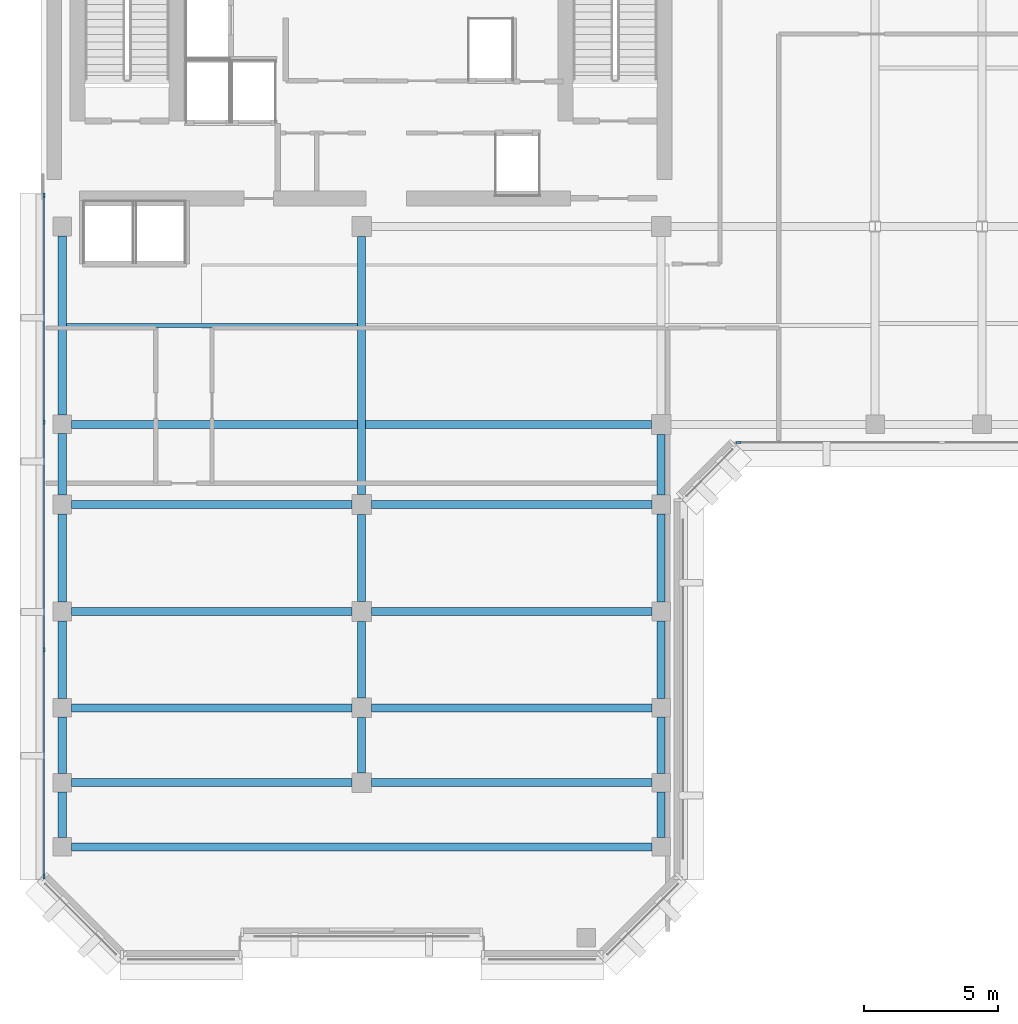
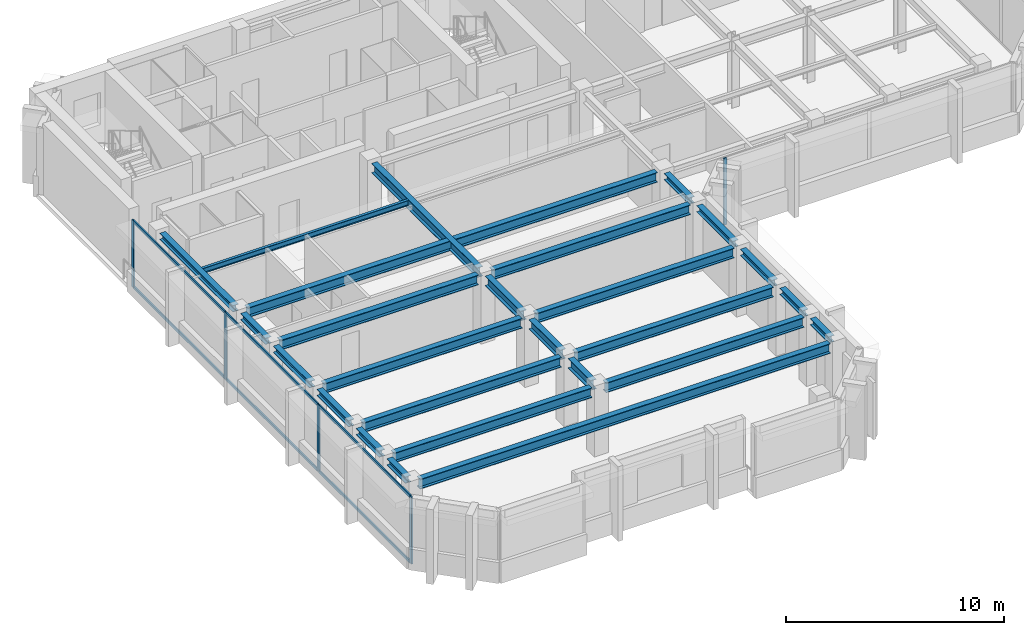
# One storey, part 2 of 12: 26 beams, 11 members, 2 elements without a shape of their own.
"""IFC4 building model written with IfcOpenShell, lengths in metres."""

from ifc_helpers import new_model, si_unit, direction, frame, origin, origin_2d, place, context, subcontext, project, spatial, rectangle, i_section, extrude, material, layer, layer_set, material_profile, profile_set, type_object, element, aggregate, save


model = new_model("IFC4")

# Units and contexts
model_context = context("Model", 3, precision=1e-05, world=origin(), true_north=direction((0.0, 1.0)))
body_context = subcontext(model_context, "Body", "Model", "MODEL_VIEW")
ifc_project = project(units=[si_unit("LENGTHUNIT", "METRE"), si_unit("AREAUNIT", "SQUARE_METRE"), si_unit("VOLUMEUNIT", "CUBIC_METRE"), si_unit("PLANEANGLEUNIT", "RADIAN"), si_unit("MASSUNIT", "GRAM", prefix="KILO")], contexts=[model_context])

# Site, building, storey
site_placement = place(None, origin())
site = spatial("IfcSite", under=ifc_project, at=site_placement, CompositionType="ELEMENT")
building_placement = place(site_placement, origin())
building = spatial("IfcBuilding", under=site, at=building_placement, Name="Kefirva Bronze Tower", CompositionType="ELEMENT")
storey_placement = place(building_placement, frame((0.0, 0.0, 339.570068359375)))
storey = spatial("IfcBuildingStorey", under=building, at=storey_placement, Name="L83", CompositionType="ELEMENT", Elevation=339.570068359375)

# Curtain wall, member
ifc_material_1 = material(Name="Bronze anodised aluminium", Category="aluminium")
ifc_layer = layer(ifc_material_1, 0.179931640625, Name="Bronze anodised aluminium")
ifc_layer_set = layer_set([ifc_layer], Name="Bronze anodised aluminium")
curtain_wall_type = type_object("IfcCurtainWallType", Name="Unitised Bronze Ribbon Curtain Wall Zone 4", PredefinedType="USERDEFINED", material=ifc_layer_set)
curtain_wall_1_placement = place(storey_placement, origin())
curtain_wall_1 = element("IfcCurtainWall", 1, at=curtain_wall_1_placement, inside=storey, type_object=curtain_wall_type, Name="L83 Curtain Wall 1", ObjectType="UNITISED CURTAIN WALL", PredefinedType="USERDEFINED")
ifc_material_profile_1 = material_profile(ifc_material_1, rectangle(XDim=0.074951171875, YDim=0.179931640625, at=origin_2d()), Name="ALU 75x180")
ifc_profile_set_1 = profile_set([ifc_material_profile_1], Name="Bronze anodised aluminium")
member_type_1 = type_object("IfcMemberType", Name="Bronze Mullion 75x180", PredefinedType="MULLION", material=ifc_profile_set_1)
member_1_placement = place(storey_placement, frame((26.092529296875, 25.1201171875, 0.0), z_axis=(0.0, 0.0, 1.0), x_axis=(0.0, 1.0, 0.0)))
member_1 = element("IfcMember", 2, at=member_1_placement, type_object=member_type_1, Name="CW-04 mullion 1", PredefinedType="MULLION", context=body_context, shape_type="SweptSolid", body=[
    extrude(rectangle(XDim=0.074951171875, YDim=0.179931640625, at=origin_2d()), origin(), (0.0, 0.0, 1.0), 3.739990234375),
])
aggregate(curtain_wall_1, [member_1])

# Curtain wall, members
curtain_wall_2_placement = place(storey_placement, origin())
curtain_wall_2 = element("IfcCurtainWall", 3, at=curtain_wall_2_placement, inside=storey, type_object=curtain_wall_type, Name="L83 Curtain Wall 4", ObjectType="UNITISED CURTAIN WALL", PredefinedType="USERDEFINED")
member_2_placement = place(storey_placement, frame((0.1201171875, 34.357421875, 0.0), z_axis=(0.0, 0.0, 1.0), x_axis=(1.0, 0.0, 0.0)))
member_2 = element("IfcMember", 4, at=member_2_placement, type_object=member_type_1, Name="CW-04 mullion 1", PredefinedType="MULLION", context=body_context, shape_type="SweptSolid", body=[
    extrude(rectangle(XDim=0.074951171875, YDim=0.179931640625, at=origin_2d()), origin(), (0.0, 0.0, 1.0), 3.739990234375),
])
member_3_placement = place(storey_placement, frame((0.1201171875, 25.881591796875, 0.0), z_axis=(0.0, 0.0, 1.0), x_axis=(1.0, 0.0, 0.0)))
member_3 = element("IfcMember", 5, at=member_3_placement, type_object=member_type_1, Name="CW-04 mullion 2", PredefinedType="MULLION", context=body_context, shape_type="SweptSolid", body=[
    extrude(rectangle(XDim=0.074951171875, YDim=0.179931640625, at=origin_2d()), origin(), (0.0, 0.0, 1.0), 3.739990234375),
])
member_4_placement = place(storey_placement, frame((0.1201171875, 17.368408203125, 0.0), z_axis=(0.0, 0.0, 1.0), x_axis=(1.0, 0.0, 0.0)))
member_4 = element("IfcMember", 6, at=member_4_placement, type_object=member_type_1, Name="CW-04 mullion 3", PredefinedType="MULLION", context=body_context, shape_type="SweptSolid", body=[
    extrude(rectangle(XDim=0.074951171875, YDim=0.179931640625, at=origin_2d()), origin(), (0.0, 0.0, 1.0), 3.739990234375),
])
member_5_placement = place(storey_placement, frame((0.1201171875, 8.892578125, 0.0), z_axis=(0.0, 0.0, 1.0), x_axis=(1.0, 0.0, 0.0)))
member_5 = element("IfcMember", 7, at=member_5_placement, type_object=member_type_1, Name="CW-04 mullion 4", PredefinedType="MULLION", context=body_context, shape_type="SweptSolid", body=[
    extrude(rectangle(XDim=0.074951171875, YDim=0.179931640625, at=origin_2d()), origin(), (0.0, 0.0, 1.0), 3.739990234375),
])
ifc_material_profile_2 = material_profile(ifc_material_1, rectangle(XDim=0.074951171875, YDim=0.14990234375, at=origin_2d()), Name="ALU 75x150")
ifc_profile_set_2 = profile_set([ifc_material_profile_2], Name="Bronze anodised aluminium")
member_type_2 = type_object("IfcMemberType", Name="Bronze Transom 75x150", PredefinedType="USERDEFINED", material=ifc_profile_set_2)
member_6_placement = place(storey_placement, frame((0.1201171875, 34.320068359375, 0.037353515625), z_axis=(0.0, -1.0, 0.0), x_axis=(1.0, 0.0, 0.0)))
member_6 = element("IfcMember", 8, at=member_6_placement, type_object=member_type_2, Name="CW-04 transom 1.1", ObjectType="TRANSOM", PredefinedType="USERDEFINED", context=body_context, shape_type="SweptSolid", body=[
    extrude(rectangle(XDim=0.074951171875, YDim=0.14990234375, at=origin_2d()), origin(), (0.0, 0.0, 1.0), 8.40087890625),
])
member_7_placement = place(storey_placement, frame((0.1201171875, 34.320068359375, 3.702392578125), z_axis=(0.0, -1.0, 0.0), x_axis=(1.0, 0.0, 0.0)))
member_7 = element("IfcMember", 9, at=member_7_placement, type_object=member_type_2, Name="CW-04 transom 1.2", ObjectType="TRANSOM", PredefinedType="USERDEFINED", context=body_context, shape_type="SweptSolid", body=[
    extrude(rectangle(XDim=0.074951171875, YDim=0.14990234375, at=origin_2d()), origin(), (0.0, 0.0, 1.0), 8.40087890625),
])
member_8_placement = place(storey_placement, frame((0.1201171875, 25.84423828125, 0.037353515625), z_axis=(0.0, -1.0, 0.0), x_axis=(1.0, 0.0, 0.0)))
member_8 = element("IfcMember", 10, at=member_8_placement, type_object=member_type_2, Name="CW-04 transom 2.1", ObjectType="TRANSOM", PredefinedType="USERDEFINED", context=body_context, shape_type="SweptSolid", body=[
    extrude(rectangle(XDim=0.074951171875, YDim=0.14990234375, at=origin_2d()), origin(), (0.0, 0.0, 1.0), 8.4384765625),
])
member_9_placement = place(storey_placement, frame((0.1201171875, 25.84423828125, 3.702392578125), z_axis=(0.0, -1.0, 0.0), x_axis=(1.0, 0.0, 0.0)))
member_9 = element("IfcMember", 11, at=member_9_placement, type_object=member_type_2, Name="CW-04 transom 2.2", ObjectType="TRANSOM", PredefinedType="USERDEFINED", context=body_context, shape_type="SweptSolid", body=[
    extrude(rectangle(XDim=0.074951171875, YDim=0.14990234375, at=origin_2d()), origin(), (0.0, 0.0, 1.0), 8.4384765625),
])
member_10_placement = place(storey_placement, frame((0.1201171875, 17.330810546875, 0.037353515625), z_axis=(0.0, -1.0, 0.0), x_axis=(1.0, 0.0, 0.0)))
member_10 = element("IfcMember", 12, at=member_10_placement, type_object=member_type_2, Name="CW-04 transom 3.1", ObjectType="TRANSOM", PredefinedType="USERDEFINED", context=body_context, shape_type="SweptSolid", body=[
    extrude(rectangle(XDim=0.074951171875, YDim=0.14990234375, at=origin_2d()), origin(), (0.0, 0.0, 1.0), 8.40087890625),
])
member_11_placement = place(storey_placement, frame((0.1201171875, 17.330810546875, 3.702392578125), z_axis=(0.0, -1.0, 0.0), x_axis=(1.0, 0.0, 0.0)))
member_11 = element("IfcMember", 13, at=member_11_placement, type_object=member_type_2, Name="CW-04 transom 3.2", ObjectType="TRANSOM", PredefinedType="USERDEFINED", context=body_context, shape_type="SweptSolid", body=[
    extrude(rectangle(XDim=0.074951171875, YDim=0.14990234375, at=origin_2d()), origin(), (0.0, 0.0, 1.0), 8.40087890625),
])
aggregate(curtain_wall_2, [member_2, member_3, member_4, member_5, member_6, member_7, member_8, member_9, member_10, member_11])

# Beams
ifc_material_2 = material(Name="Steel S355", Category="steel")
ifc_material_profile_3 = material_profile(ifc_material_2, i_section(OverallWidth=0.14990234375, OverallDepth=0.300048828125, WebThickness=0.007080078125, FlangeThickness=0.0107421875, at=origin_2d()), Name="IPE 300")
ifc_profile_set_3 = profile_set([ifc_material_profile_3], Name="Steel S355")
beam_type_1 = type_object("IfcBeamType", Name="Steel Floor Joist IPE 300", PredefinedType="JOIST", material=ifc_profile_set_3)
beam_1_placement = place(storey_placement, frame((0.949951171875, 29.489990234375, 3.58984375), z_axis=(1.0, 0.0, 0.0), x_axis=(0.0, 1.0, 0.0)))
element("IfcBeam", 14, at=beam_1_placement, inside=storey, type_object=beam_type_1, Name="L83 JST-L83-0-294", PredefinedType="JOIST", context=body_context, shape_type="SweptSolid", body=[
    extrude(i_section(OverallWidth=0.14990234375, OverallDepth=0.300048828125, WebThickness=0.007080078125, FlangeThickness=0.0107421875, at=origin_2d()), origin(), (0.0, 0.0, 1.0), 10.900146484375),
])
ifc_material_profile_4 = material_profile(ifc_material_2, i_section(OverallWidth=0.300048828125, OverallDepth=0.550048828125, WebThickness=0.014892578125, FlangeThickness=0.029052734375, at=origin_2d()), Name="HEB 550")
ifc_profile_set_4 = profile_set([ifc_material_profile_4], Name="Steel S355")
beam_type_2 = type_object("IfcBeamType", Name="Steel Girder HEB 550", PredefinedType="USERDEFINED", material=ifc_profile_set_4)
beam_2_placement = place(storey_placement, frame((1.14990234375, 10.0, 3.46484375), z_axis=(1.0, 0.0, 0.0), x_axis=(0.0, 1.0, 0.0)))
element("IfcBeam", 15, at=beam_2_placement, inside=storey, type_object=beam_type_2, Name="L83 BM-L83-EW-0-100", ObjectType="GIRDER", PredefinedType="USERDEFINED", context=body_context, shape_type="SweptSolid", body=[
    extrude(i_section(OverallWidth=0.300048828125, OverallDepth=0.550048828125, WebThickness=0.014892578125, FlangeThickness=0.029052734375, at=origin_2d()), origin(), (0.0, 0.0, 1.0), 21.7001953125),
])
for number, where, z_axis, x_axis, name in (
    (16, (1.14990234375, 12.39990234375, 3.46484375), (1.0, 0.0, 0.0), (0.0, 1.0, 0.0), "L83 BM-L83-EW-0-124"),
    (17, (12.3701171875, 12.39990234375, 3.46484375), (1.0, 0.0, 0.0), (0.0, 1.0, 0.0), "L83 BM-L83-EW-12-124"),
    (18, (1.14990234375, 15.199951171875, 3.46484375), (1.0, 0.0, 0.0), (0.0, 1.0, 0.0), "L83 BM-L83-EW-0-152"),
    (19, (12.3701171875, 15.199951171875, 3.46484375), (1.0, 0.0, 0.0), (0.0, 1.0, 0.0), "L83 BM-L83-EW-12-152"),
    (20, (1.14990234375, 18.800048828125, 3.46484375), (1.0, 0.0, 0.0), (0.0, 1.0, 0.0), "L83 BM-L83-EW-0-188"),
    (21, (12.3701171875, 18.800048828125, 3.46484375), (1.0, 0.0, 0.0), (0.0, 1.0, 0.0), "L83 BM-L83-EW-12-188"),
    (22, (1.14990234375, 22.800048828125, 3.46484375), (1.0, 0.0, 0.0), (0.0, 1.0, 0.0), "L83 BM-L83-EW-0-228"),
    (23, (12.3701171875, 22.800048828125, 3.46484375), (1.0, 0.0, 0.0), (0.0, 1.0, 0.0), "L83 BM-L83-EW-12-228"),
):
    element("IfcBeam", number, at=place(storey_placement, frame(where, z_axis=z_axis, x_axis=x_axis)), inside=storey, type_object=beam_type_2, Name=name, ObjectType="GIRDER", PredefinedType="USERDEFINED", context=body_context, shape_type="SweptSolid", body=[
        extrude(i_section(OverallWidth=0.300048828125, OverallDepth=0.550048828125, WebThickness=0.014892578125, FlangeThickness=0.029052734375, at=origin_2d()), origin(), (0.0, 0.0, 1.0), 10.47998046875),
    ])
beam_3_placement = place(storey_placement, frame((1.14990234375, 25.800048828125, 3.46484375), z_axis=(1.0, 0.0, 0.0), x_axis=(0.0, 1.0, 0.0)))
element("IfcBeam", 24, at=beam_3_placement, inside=storey, type_object=beam_type_2, Name="L83 BM-L83-EW-0-258", ObjectType="GIRDER", PredefinedType="USERDEFINED", context=body_context, shape_type="SweptSolid", body=[
    extrude(i_section(OverallWidth=0.300048828125, OverallDepth=0.550048828125, WebThickness=0.014892578125, FlangeThickness=0.029052734375, at=origin_2d()), origin(), (0.0, 0.0, 1.0), 21.68017578125),
])
beam_4_placement = place(storey_placement, frame((12.0, 12.77001953125, 3.46484375), z_axis=(0.0, 1.0, 0.0), x_axis=(-1.0, 0.0, 0.0)))
element("IfcBeam", 25, at=beam_4_placement, inside=storey, type_object=beam_type_2, Name="L83 BM-L83-NS-120-12", ObjectType="GIRDER", PredefinedType="USERDEFINED", context=body_context, shape_type="SweptSolid", body=[
    extrude(i_section(OverallWidth=0.300048828125, OverallDepth=0.550048828125, WebThickness=0.014892578125, FlangeThickness=0.029052734375, at=origin_2d()), origin(), (0.0, 0.0, 1.0), 2.06005859375),
])
beam_5_placement = place(storey_placement, frame((12.0, 15.570068359375, 3.46484375), z_axis=(0.0, 1.0, 0.0), x_axis=(-1.0, 0.0, 0.0)))
element("IfcBeam", 26, at=beam_5_placement, inside=storey, type_object=beam_type_2, Name="L83 BM-L83-NS-120-15", ObjectType="GIRDER", PredefinedType="USERDEFINED", context=body_context, shape_type="SweptSolid", body=[
    extrude(i_section(OverallWidth=0.300048828125, OverallDepth=0.550048828125, WebThickness=0.014892578125, FlangeThickness=0.029052734375, at=origin_2d()), origin(), (0.0, 0.0, 1.0), 2.85986328125),
])
beam_6_placement = place(storey_placement, frame((12.0, 19.169921875, 3.46484375), z_axis=(0.0, 1.0, 0.0), x_axis=(-1.0, 0.0, 0.0)))
element("IfcBeam", 27, at=beam_6_placement, inside=storey, type_object=beam_type_2, Name="L83 BM-L83-NS-120-18", ObjectType="GIRDER", PredefinedType="USERDEFINED", context=body_context, shape_type="SweptSolid", body=[
    extrude(i_section(OverallWidth=0.300048828125, OverallDepth=0.550048828125, WebThickness=0.014892578125, FlangeThickness=0.029052734375, at=origin_2d()), origin(), (0.0, 0.0, 1.0), 3.260009765625),
])
beam_7_placement = place(storey_placement, frame((12.0, 23.169921875, 3.46484375), z_axis=(0.0, 1.0, 0.0), x_axis=(-1.0, 0.0, 0.0)))
element("IfcBeam", 28, at=beam_7_placement, inside=storey, type_object=beam_type_2, Name="L83 BM-L83-NS-120-22", ObjectType="GIRDER", PredefinedType="USERDEFINED", context=body_context, shape_type="SweptSolid", body=[
    extrude(i_section(OverallWidth=0.300048828125, OverallDepth=0.550048828125, WebThickness=0.014892578125, FlangeThickness=0.029052734375, at=origin_2d()), origin(), (0.0, 0.0, 1.0), 9.66015625),
])
ifc_material_profile_5 = material_profile(ifc_material_2, i_section(OverallWidth=0.300048828125, OverallDepth=0.360107421875, WebThickness=0.012451171875, FlangeThickness=0.0224609375, at=origin_2d()), Name="HEB 360")
ifc_profile_set_5 = profile_set([ifc_material_profile_5], Name="Steel S355")
beam_type_3 = type_object("IfcBeamType", Name="Steel Spandrel HEB 360 Ext", PredefinedType="SPANDREL", material=ifc_profile_set_5)
beam_8_placement = place(storey_placement, frame((0.800048828125, 10.35009765625, 3.559814453125), z_axis=(0.0, 1.0, 0.0), x_axis=(-1.0, 0.0, 0.0)))
element("IfcBeam", 29, at=beam_8_placement, inside=storey, type_object=beam_type_3, Name="L83 BM-L83-NS-8-10", PredefinedType="SPANDREL", context=body_context, shape_type="SweptSolid", body=[
    extrude(i_section(OverallWidth=0.300048828125, OverallDepth=0.360107421875, WebThickness=0.012451171875, FlangeThickness=0.0224609375, at=origin_2d()), origin(), (0.0, 0.0, 1.0), 1.699951171875),
])
beam_9_placement = place(storey_placement, frame((0.800048828125, 12.75, 3.559814453125), z_axis=(0.0, 1.0, 0.0), x_axis=(-1.0, 0.0, 0.0)))
element("IfcBeam", 30, at=beam_9_placement, inside=storey, type_object=beam_type_3, Name="L83 BM-L83-NS-8-12", PredefinedType="SPANDREL", context=body_context, shape_type="SweptSolid", body=[
    extrude(i_section(OverallWidth=0.300048828125, OverallDepth=0.360107421875, WebThickness=0.012451171875, FlangeThickness=0.0224609375, at=origin_2d()), origin(), (0.0, 0.0, 1.0), 2.10009765625),
])
beam_10_placement = place(storey_placement, frame((0.800048828125, 15.550048828125, 3.559814453125), z_axis=(0.0, 1.0, 0.0), x_axis=(-1.0, 0.0, 0.0)))
element("IfcBeam", 31, at=beam_10_placement, inside=storey, type_object=beam_type_3, Name="L83 BM-L83-NS-8-15", PredefinedType="SPANDREL", context=body_context, shape_type="SweptSolid", body=[
    extrude(i_section(OverallWidth=0.300048828125, OverallDepth=0.360107421875, WebThickness=0.012451171875, FlangeThickness=0.0224609375, at=origin_2d()), origin(), (0.0, 0.0, 1.0), 2.89990234375),
])
beam_11_placement = place(storey_placement, frame((0.800048828125, 19.14990234375, 3.559814453125), z_axis=(0.0, 1.0, 0.0), x_axis=(-1.0, 0.0, 0.0)))
element("IfcBeam", 32, at=beam_11_placement, inside=storey, type_object=beam_type_3, Name="L83 BM-L83-NS-8-18", PredefinedType="SPANDREL", context=body_context, shape_type="SweptSolid", body=[
    extrude(i_section(OverallWidth=0.300048828125, OverallDepth=0.360107421875, WebThickness=0.012451171875, FlangeThickness=0.0224609375, at=origin_2d()), origin(), (0.0, 0.0, 1.0), 3.300048828125),
])
beam_12_placement = place(storey_placement, frame((0.800048828125, 23.14990234375, 3.559814453125), z_axis=(0.0, 1.0, 0.0), x_axis=(-1.0, 0.0, 0.0)))
element("IfcBeam", 33, at=beam_12_placement, inside=storey, type_object=beam_type_3, Name="L83 BM-L83-NS-8-22", PredefinedType="SPANDREL", context=body_context, shape_type="SweptSolid", body=[
    extrude(i_section(OverallWidth=0.300048828125, OverallDepth=0.360107421875, WebThickness=0.012451171875, FlangeThickness=0.0224609375, at=origin_2d()), origin(), (0.0, 0.0, 1.0), 2.300048828125),
])
beam_13_placement = place(storey_placement, frame((0.800048828125, 26.14990234375, 3.559814453125), z_axis=(0.0, 1.0, 0.0), x_axis=(-1.0, 0.0, 0.0)))
element("IfcBeam", 34, at=beam_13_placement, inside=storey, type_object=beam_type_3, Name="L83 BM-L83-NS-8-25", PredefinedType="SPANDREL", context=body_context, shape_type="SweptSolid", body=[
    extrude(i_section(OverallWidth=0.300048828125, OverallDepth=0.360107421875, WebThickness=0.012451171875, FlangeThickness=0.0224609375, at=origin_2d()), origin(), (0.0, 0.0, 1.0), 6.7001953125),
])
beam_14_placement = place(storey_placement, frame((23.199951171875, 10.35009765625, 3.559814453125), z_axis=(0.0, 1.0, 0.0), x_axis=(-1.0, 0.0, 0.0)))
element("IfcBeam", 35, at=beam_14_placement, inside=storey, type_object=beam_type_3, Name="L83 BM-L83-NS-232-10", PredefinedType="SPANDREL", context=body_context, shape_type="SweptSolid", body=[
    extrude(i_section(OverallWidth=0.300048828125, OverallDepth=0.360107421875, WebThickness=0.012451171875, FlangeThickness=0.0224609375, at=origin_2d()), origin(), (0.0, 0.0, 1.0), 1.699951171875),
])
beam_15_placement = place(storey_placement, frame((23.199951171875, 12.75, 3.559814453125), z_axis=(0.0, 1.0, 0.0), x_axis=(-1.0, 0.0, 0.0)))
element("IfcBeam", 36, at=beam_15_placement, inside=storey, type_object=beam_type_3, Name="L83 BM-L83-NS-232-12", PredefinedType="SPANDREL", context=body_context, shape_type="SweptSolid", body=[
    extrude(i_section(OverallWidth=0.300048828125, OverallDepth=0.360107421875, WebThickness=0.012451171875, FlangeThickness=0.0224609375, at=origin_2d()), origin(), (0.0, 0.0, 1.0), 2.10009765625),
])
beam_16_placement = place(storey_placement, frame((23.199951171875, 15.550048828125, 3.559814453125), z_axis=(0.0, 1.0, 0.0), x_axis=(-1.0, 0.0, 0.0)))
element("IfcBeam", 37, at=beam_16_placement, inside=storey, type_object=beam_type_3, Name="L83 BM-L83-NS-232-15", PredefinedType="SPANDREL", context=body_context, shape_type="SweptSolid", body=[
    extrude(i_section(OverallWidth=0.300048828125, OverallDepth=0.360107421875, WebThickness=0.012451171875, FlangeThickness=0.0224609375, at=origin_2d()), origin(), (0.0, 0.0, 1.0), 2.89990234375),
])
beam_17_placement = place(storey_placement, frame((23.199951171875, 19.14990234375, 3.559814453125), z_axis=(0.0, 1.0, 0.0), x_axis=(-1.0, 0.0, 0.0)))
element("IfcBeam", 38, at=beam_17_placement, inside=storey, type_object=beam_type_3, Name="L83 BM-L83-NS-232-18", PredefinedType="SPANDREL", context=body_context, shape_type="SweptSolid", body=[
    extrude(i_section(OverallWidth=0.300048828125, OverallDepth=0.360107421875, WebThickness=0.012451171875, FlangeThickness=0.0224609375, at=origin_2d()), origin(), (0.0, 0.0, 1.0), 3.300048828125),
])
beam_18_placement = place(storey_placement, frame((23.199951171875, 23.14990234375, 3.559814453125), z_axis=(0.0, 1.0, 0.0), x_axis=(-1.0, 0.0, 0.0)))
element("IfcBeam", 39, at=beam_18_placement, inside=storey, type_object=beam_type_3, Name="L83 BM-L83-NS-232-22", PredefinedType="SPANDREL", context=body_context, shape_type="SweptSolid", body=[
    extrude(i_section(OverallWidth=0.300048828125, OverallDepth=0.360107421875, WebThickness=0.012451171875, FlangeThickness=0.0224609375, at=origin_2d()), origin(), (0.0, 0.0, 1.0), 2.280029296875),
])

save(model, "model.ifc")
